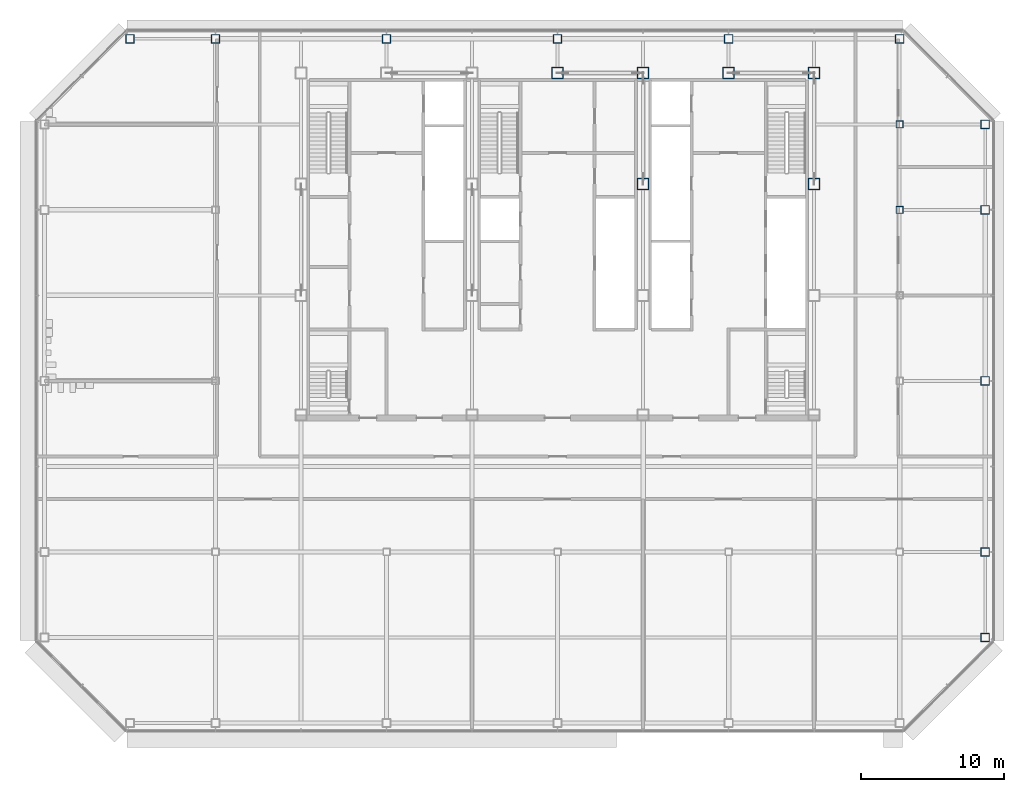
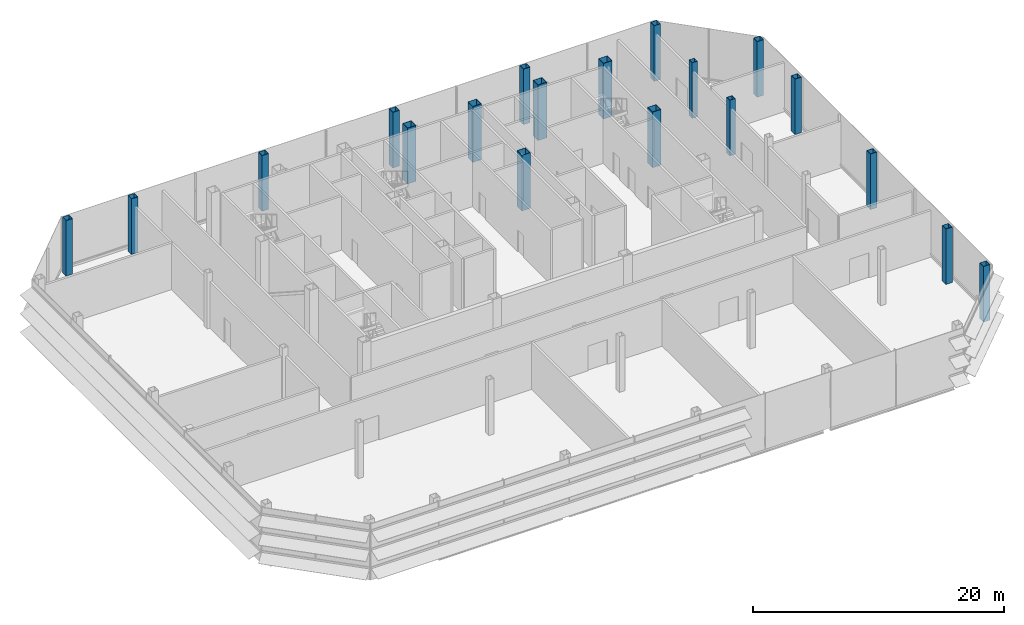
# One storey, part 2 of 26: 19 columns.
"""IFC4 building model written with IfcOpenShell, lengths in metres."""

from ifc_helpers import new_model, si_unit, direction, frame, origin, origin_2d, place, context, subcontext, project, spatial, hollow_rectangle, extrude, material, material_profile, profile_set, type_object, element, save


model = new_model("IFC4")

# Units and contexts
model_context = context("Model", 3, precision=1e-05, world=origin(), true_north=direction((0.0, 1.0)))
body_context = subcontext(model_context, "Body", "Model", "MODEL_VIEW")
ifc_project = project(units=[si_unit("LENGTHUNIT", "METRE"), si_unit("AREAUNIT", "SQUARE_METRE"), si_unit("VOLUMEUNIT", "CUBIC_METRE"), si_unit("PLANEANGLEUNIT", "RADIAN"), si_unit("MASSUNIT", "GRAM", prefix="KILO")], contexts=[model_context])

# Site, building, storey
site_placement = place(None, origin())
site = spatial("IfcSite", under=ifc_project, at=site_placement, CompositionType="ELEMENT")
building_placement = place(site_placement, origin())
building = spatial("IfcBuilding", under=site, at=building_placement, Name="Sorahane Residences", CompositionType="ELEMENT")
storey_placement = place(building_placement, frame((0.0, 0.0, 257.60009765625)))
storey = spatial("IfcBuildingStorey", under=building, at=storey_placement, Name="L61", CompositionType="ELEMENT", Elevation=257.60009765625)

# Columns
ifc_material_1 = material(Name="Steel Q355B", Category="steel")
ifc_material_profile_1 = material_profile(ifc_material_1, hollow_rectangle(XDim=0.5, YDim=0.5, WallThickness=0.02490234375, at=origin_2d()), Name="BOX 500x500x25")
ifc_profile_set_1 = profile_set([ifc_material_profile_1], Name="Steel Q355B")
column_type_1 = type_object("IfcColumnType", Name="Steel box column BOX 500x500x25 Q355B", PredefinedType="COLUMN", material=ifc_profile_set_1)
for number, where, z_axis, x_axis, name in (
    (1, (48.0, 36.0, 0.0), (0.0, 0.0, 1.0), (1.0, 0.0, 0.0), "Column L61 48/36"),
    (2, (48.0, 42.0, 0.0), (0.0, 0.0, 1.0), (1.0, 0.0, 0.0), "Column L61 48/42"),
):
    element("IfcColumn", number, at=place(storey_placement, frame(where, z_axis=z_axis, x_axis=x_axis)), inside=storey, type_object=column_type_1, Name=name, PredefinedType="COLUMN", context=body_context, shape_type="SweptSolid", body=[
        extrude(hollow_rectangle(XDim=0.5, YDim=0.5, WallThickness=0.02490234375, at=origin_2d()), origin(), (0.0, 0.0, 1.0), 5.39990234375),
    ])
ifc_material_2 = material(Name="Steel Q355B", Category="steel")
ifc_material_profile_2 = material_profile(ifc_material_2, hollow_rectangle(XDim=0.60009765625, YDim=0.60009765625, WallThickness=0.028076171875, at=origin_2d()), Name="BOX 600x600x28")
ifc_profile_set_2 = profile_set([ifc_material_profile_2], Name="Steel Q355B")
column_type_2 = type_object("IfcColumnType", Name="Steel box column BOX 600x600x28 Q355B", PredefinedType="COLUMN", material=ifc_profile_set_2)
for number, where, z_axis, x_axis, name in (
    (3, (-6.0, 48.0, 0.0), (0.0, 0.0, 1.0), (1.0, 0.0, 0.0), "Column L61 m6/48"),
    (4, (0.0, 48.0, 0.0), (0.0, 0.0, 1.0), (1.0, 0.0, 0.0), "Column L61 0/48"),
    (5, (12.0, 48.0, 0.0), (0.0, 0.0, 1.0), (1.0, 0.0, 0.0), "Column L61 12/48"),
    (6, (24.0, 48.0, 0.0), (0.0, 0.0, 1.0), (1.0, 0.0, 0.0), "Column L61 24/48"),
    (7, (36.0, 48.0, 0.0), (0.0, 0.0, 1.0), (1.0, 0.0, 0.0), "Column L61 36/48"),
    (8, (48.0, 48.0, 0.0), (0.0, 0.0, 1.0), (1.0, 0.0, 0.0), "Column L61 48/48"),
    (9, (54.0, 6.0, 0.0), (0.0, 0.0, 1.0), (1.0, 0.0, 0.0), "Column L61 54/6"),
    (10, (54.0, 12.0, 0.0), (0.0, 0.0, 1.0), (1.0, 0.0, 0.0), "Column L61 54/12"),
    (11, (54.0, 24.0, 0.0), (0.0, 0.0, 1.0), (1.0, 0.0, 0.0), "Column L61 54/24"),
    (12, (54.0, 36.0, 0.0), (0.0, 0.0, 1.0), (1.0, 0.0, 0.0), "Column L61 54/36"),
    (13, (54.0, 42.0, 0.0), (0.0, 0.0, 1.0), (1.0, 0.0, 0.0), "Column L61 54/42"),
):
    element("IfcColumn", number, at=place(storey_placement, frame(where, z_axis=z_axis, x_axis=x_axis)), inside=storey, type_object=column_type_2, Name=name, PredefinedType="COLUMN", context=body_context, shape_type="SweptSolid", body=[
        extrude(hollow_rectangle(XDim=0.60009765625, YDim=0.60009765625, WallThickness=0.028076171875, at=origin_2d()), origin(), (0.0, 0.0, 1.0), 5.39990234375),
    ])
ifc_material_3 = material(Name="Steel Q355B", Category="steel")
ifc_material_profile_3 = material_profile(ifc_material_3, hollow_rectangle(XDim=0.800048828125, YDim=0.800048828125, WallThickness=0.031982421875, at=origin_2d()), Name="BOX 800x800x32")
ifc_profile_set_3 = profile_set([ifc_material_profile_3], Name="Steel Q355B")
column_type_3 = type_object("IfcColumnType", Name="Steel box column BOX 800x800x32 Q355B", PredefinedType="COLUMN", material=ifc_profile_set_3)
for number, where, z_axis, x_axis, name in (
    (14, (24.0, 45.60009765625, 0.0), (0.0, 0.0, 1.0), (1.0, 0.0, 0.0), "Column L61 24/45.6"),
    (15, (30.0, 37.800048828125, 0.0), (0.0, 0.0, 1.0), (1.0, 0.0, 0.0), "Column L61 30/37.8"),
    (16, (30.0, 45.60009765625, 0.0), (0.0, 0.0, 1.0), (1.0, 0.0, 0.0), "Column L61 30/45.6"),
    (17, (36.0, 45.60009765625, 0.0), (0.0, 0.0, 1.0), (1.0, 0.0, 0.0), "Column L61 36/45.6"),
    (18, (42.0, 37.800048828125, 0.0), (0.0, 0.0, 1.0), (1.0, 0.0, 0.0), "Column L61 42/37.8"),
    (19, (42.0, 45.60009765625, 0.0), (0.0, 0.0, 1.0), (1.0, 0.0, 0.0), "Column L61 42/45.6"),
):
    element("IfcColumn", number, at=place(storey_placement, frame(where, z_axis=z_axis, x_axis=x_axis)), inside=storey, type_object=column_type_3, Name=name, PredefinedType="COLUMN", context=body_context, shape_type="SweptSolid", body=[
        extrude(hollow_rectangle(XDim=0.800048828125, YDim=0.800048828125, WallThickness=0.031982421875, at=origin_2d()), origin(), (0.0, 0.0, 1.0), 5.39990234375),
    ])

save(model, "model.ifc")
